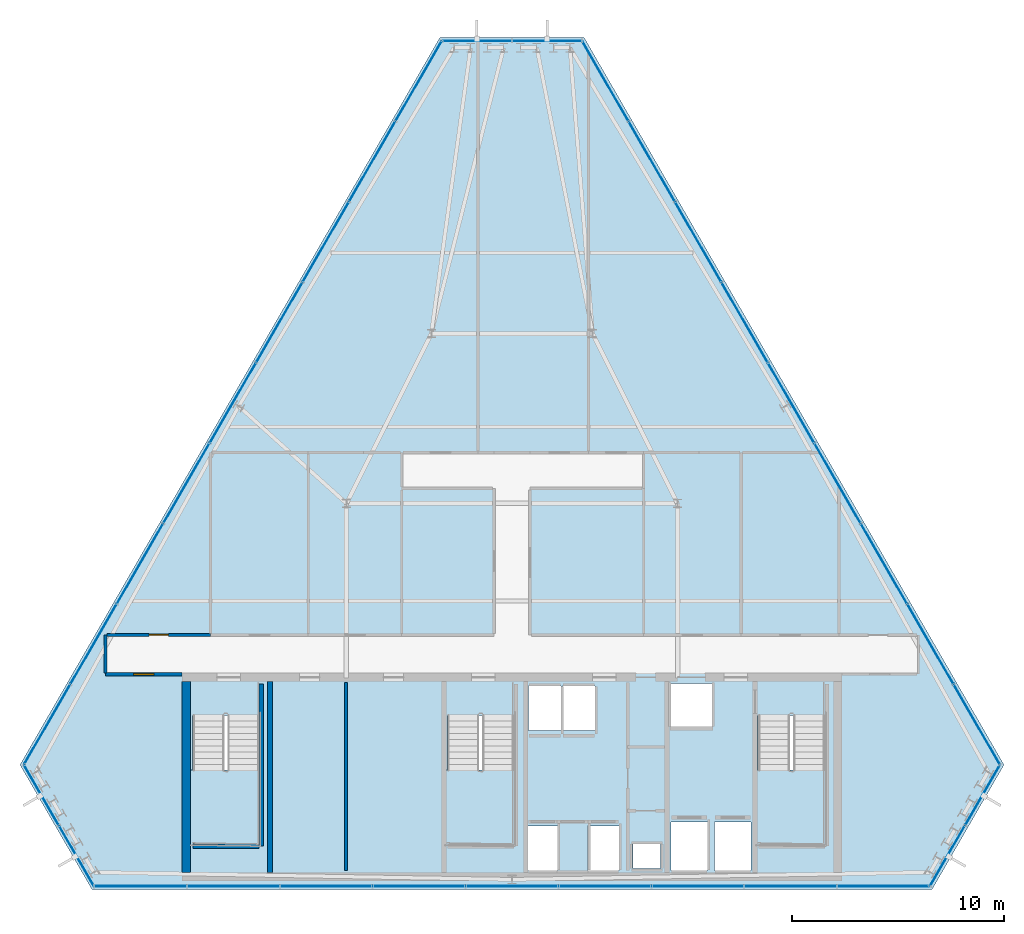
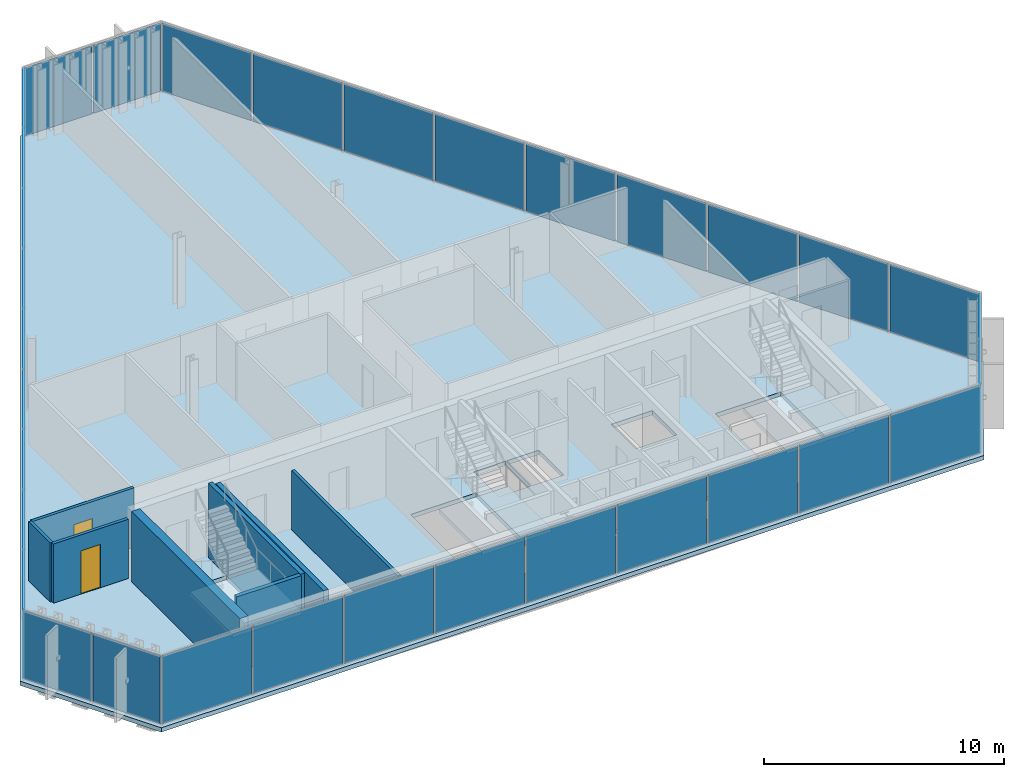
# One storey, part 23 of 29: 33 plates, 8 walls, 4 slabs, 2 doors, 2 openings, 9 elements without a shape of their own.
"""IFC4 building model written with IfcOpenShell, lengths in metres."""

from ifc_helpers import new_model, si_unit, direction, frame, frame_2d, origin, origin_2d, place, context, subcontext, project, spatial, polyline, rectangle, outline, extrude, material, layer, layer_set, type_object, element, fill, aggregate, save


model = new_model("IFC4")

# Units and contexts
model_context = context("Model", 3, precision=1e-05, world=origin(), true_north=direction((0.0, 1.0)))
body_context = subcontext(model_context, "Body", "Model", "MODEL_VIEW")
ifc_project = project(units=[si_unit("LENGTHUNIT", "METRE"), si_unit("AREAUNIT", "SQUARE_METRE"), si_unit("VOLUMEUNIT", "CUBIC_METRE"), si_unit("PLANEANGLEUNIT", "RADIAN"), si_unit("MASSUNIT", "GRAM", prefix="KILO")], contexts=[model_context])

# Site, building, storey
site_placement = place(None, origin())
site = spatial("IfcSite", under=ifc_project, at=site_placement, CompositionType="ELEMENT")
building_placement = place(site_placement, origin())
building = spatial("IfcBuilding", under=site, at=building_placement, Name="Ndaravel Arena Tower", CompositionType="ELEMENT")
storey_placement = place(building_placement, frame((0.0, 0.0, 244.60009765625)))
storey = spatial("IfcBuildingStorey", under=building, at=storey_placement, Name="L59", CompositionType="ELEMENT", Elevation=244.60009765625)

# Curtain wall, plate
ifc_material_1 = material(Name="Aluminium", Category="aluminium")
ifc_layer_1 = layer(ifc_material_1, 0.179931640625)
ifc_layer_set_1 = layer_set([ifc_layer_1], Name="Aluminium")
curtain_wall_type_1 = type_object("IfcCurtainWallType", Name="CW-SYS-01", PredefinedType="NOTDEFINED", material=ifc_layer_set_1)
curtain_wall_1_placement = place(storey_placement, origin())
curtain_wall_1 = element("IfcCurtainWall", 1, at=curtain_wall_1_placement, inside=storey, type_object=curtain_wall_type_1, Name="L59 Faceted Crystal Curtain Wall CW-L59-E02", PredefinedType="NOTDEFINED")
ifc_material_2 = material(Name="Glazing", Category="glass")
ifc_layer_2 = layer(ifc_material_2, 0.035888671875)
ifc_layer_set_2 = layer_set([ifc_layer_2], Name="Glazing")
plate_type_1 = type_object("IfcPlateType", Name="PLT-CW-OPVENT", PredefinedType="CURTAIN_PANEL", material=ifc_layer_set_2)
plate_1_placement = place(storey_placement, frame((64.169677734375, 9.451416015625, 0.059814453125), z_axis=(0.0, 0.0, 1.0), x_axis=(0.5, 0.866025403784, 0.0)))
plate_1 = element("IfcPlate", 2, at=plate_1_placement, type_object=plate_type_1, Name="CW-L59-E02 Operable Vent Sash Panel 02", PredefinedType="CURTAIN_PANEL", context=body_context, shape_type="SweptSolid", body=[
    extrude(rectangle(XDim=3.2236328125, YDim=0.035888671875, at=origin_2d()), origin(), (0.0, 0.0, 1.0), 3.4599609375),
])

curtain_wall_2_placement = place(storey_placement, origin())
curtain_wall_2 = element("IfcCurtainWall", 3, at=curtain_wall_2_placement, inside=storey, type_object=curtain_wall_type_1, Name="L59 Faceted Crystal Curtain Wall CW-L59-E04", PredefinedType="NOTDEFINED")
plate_2_placement = place(storey_placement, frame((40.34814453125, 44.989501953125, 0.059814453125), z_axis=(0.0, 0.0, 1.0), x_axis=(-1.0, 0.0, 0.0)))
plate_2 = element("IfcPlate", 4, at=plate_2_placement, type_object=plate_type_1, Name="CW-L59-E04 Operable Vent Sash Panel 02", PredefinedType="CURTAIN_PANEL", context=body_context, shape_type="SweptSolid", body=[
    extrude(rectangle(XDim=3.2236328125, YDim=0.035888671875, at=origin_2d()), origin(), (0.0, 0.0, 1.0), 3.4599609375),
])

ifc_material_3 = material(Name="Aluminium", Category="aluminium")
ifc_layer_3 = layer(ifc_material_3, 0.179931640625)
ifc_layer_set_3 = layer_set([ifc_layer_3], Name="Aluminium")
curtain_wall_type_2 = type_object("IfcCurtainWallType", Name="CW-SYS-02", PredefinedType="NOTDEFINED", material=ifc_layer_set_3)
curtain_wall_3_placement = place(storey_placement, origin())
curtain_wall_3 = element("IfcCurtainWall", 5, at=curtain_wall_3_placement, inside=storey, type_object=curtain_wall_type_2, Name="L59 Faceted Crystal Curtain Wall CW-L59-E06", PredefinedType="NOTDEFINED")
plate_3_placement = place(storey_placement, frame((21.482177734375, 6.590576171875, 0.059814453125), z_axis=(0.0, 0.0, 1.0), x_axis=(0.5, -0.866025403784, 0.0)))
plate_3 = element("IfcPlate", 6, at=plate_3_placement, type_object=plate_type_1, Name="CW-L59-E06 Operable Vent Sash Panel 02", PredefinedType="CURTAIN_PANEL", context=body_context, shape_type="SweptSolid", body=[
    extrude(rectangle(XDim=3.2236328125, YDim=0.035888671875, at=origin_2d()), origin(), (0.0, 0.0, 1.0), 3.4599609375),
])

# Plate
ifc_material_4 = material(Name="Glazing", Category="glass")
ifc_layer_4 = layer(ifc_material_4, 0.031982421875)
ifc_layer_set_4 = layer_set([ifc_layer_4], Name="Glazing")
plate_type_2 = type_object("IfcPlateType", Name="PLT-GLZ-FRIT35", PredefinedType="CURTAIN_PANEL", material=ifc_layer_set_4)
plate_4_placement = place(storey_placement, frame((62.517822265625, 6.590576171875, 0.059814453125), z_axis=(0.0, 0.0, 1.0), x_axis=(0.5, 0.866025403784, 0.0)))
plate_4 = element("IfcPlate", 7, at=plate_4_placement, type_object=plate_type_2, Name="CW-L59-E02 Vision Glass Panel 01", PredefinedType="CURTAIN_PANEL", context=body_context, shape_type="SweptSolid", body=[
    extrude(rectangle(XDim=3.2236328125, YDim=0.035888671875, at=origin_2d()), origin(), (0.0, 0.0, 1.0), 3.4599609375),
])

aggregate(curtain_wall_1, [plate_4, plate_1])

plate_5_placement = place(storey_placement, frame((43.65185546875, 44.989501953125, 0.059814453125), z_axis=(0.0, 0.0, 1.0), x_axis=(-1.0, 0.0, 0.0)))
plate_5 = element("IfcPlate", 8, at=plate_5_placement, type_object=plate_type_2, Name="CW-L59-E04 Vision Glass Panel 01", PredefinedType="CURTAIN_PANEL", context=body_context, shape_type="SweptSolid", body=[
    extrude(rectangle(XDim=3.2236328125, YDim=0.035888671875, at=origin_2d()), origin(), (0.0, 0.0, 1.0), 3.4599609375),
])

aggregate(curtain_wall_2, [plate_5, plate_2])

ifc_material_5 = material(Name="Glazing", Category="glass")
ifc_layer_5 = layer(ifc_material_5, 0.035888671875)
ifc_layer_set_5 = layer_set([ifc_layer_5], Name="Glazing")
plate_type_3 = type_object("IfcPlateType", Name="PLT-GLZ-FRIT55", PredefinedType="CURTAIN_PANEL", material=ifc_layer_set_5)
plate_6_placement = place(storey_placement, frame((19.830322265625, 9.451416015625, 0.059814453125), z_axis=(0.0, 0.0, 1.0), x_axis=(0.5, -0.866025403784, 0.0)))
plate_6 = element("IfcPlate", 9, at=plate_6_placement, type_object=plate_type_3, Name="CW-L59-E06 Vision Glass Panel 01", PredefinedType="CURTAIN_PANEL", context=body_context, shape_type="SweptSolid", body=[
    extrude(rectangle(XDim=3.2236328125, YDim=0.035888671875, at=origin_2d()), origin(), (0.0, 0.0, 1.0), 3.4599609375),
])

aggregate(curtain_wall_3, [plate_6, plate_3])

# Curtain wall, plates
ifc_material_6 = material(Name="Aluminium", Category="aluminium")
ifc_layer_6 = layer(ifc_material_6, 0.179931640625)
ifc_layer_set_6 = layer_set([ifc_layer_6], Name="Aluminium")
curtain_wall_type_3 = type_object("IfcCurtainWallType", Name="CW-SYS-03", PredefinedType="NOTDEFINED", material=ifc_layer_set_6)
curtain_wall_4_placement = place(storey_placement, origin())
curtain_wall_4 = element("IfcCurtainWall", 10, at=curtain_wall_4_placement, inside=storey, type_object=curtain_wall_type_3, Name="L59 Faceted Crystal Curtain Wall CW-L59-E01", PredefinedType="NOTDEFINED")
ifc_material_7 = material(Name="Glazing", Category="glass")
ifc_layer_7 = layer(ifc_material_7, 0.0400390625)
ifc_layer_set_7 = layer_set([ifc_layer_7], Name="Glazing")
plate_type_4 = type_object("IfcPlateType", Name="PLT-GLZ-LOWIRON", PredefinedType="CURTAIN_PANEL", material=ifc_layer_set_7)
plate_7_placement = place(storey_placement, frame((24.49609375, 5.159912109375, 0.059814453125), z_axis=(0.0, 0.0, 1.0), x_axis=(1.0, 0.0, 0.0)))
plate_7 = element("IfcPlate", 11, at=plate_7_placement, type_object=plate_type_4, Name="CW-L59-E01 Vision Glass Panel 01", PredefinedType="CURTAIN_PANEL", context=body_context, shape_type="SweptSolid", body=[
    extrude(rectangle(XDim=4.2958984375, YDim=0.035888671875, at=origin_2d()), origin(), (0.0, 0.0, 1.0), 3.4599609375),
])
plate_8_placement = place(storey_placement, frame((28.8720703125, 5.159912109375, 0.059814453125), z_axis=(0.0, 0.0, 1.0), x_axis=(1.0, 0.0, 0.0)))
plate_8 = element("IfcPlate", 12, at=plate_8_placement, type_object=plate_type_4, Name="CW-L59-E01 Vision Glass Panel 02", PredefinedType="CURTAIN_PANEL", context=body_context, shape_type="SweptSolid", body=[
    extrude(rectangle(XDim=4.2958984375, YDim=0.035888671875, at=origin_2d()), origin(), (0.0, 0.0, 1.0), 3.4599609375),
])
plate_9_placement = place(storey_placement, frame((33.248046875, 5.159912109375, 0.059814453125), z_axis=(0.0, 0.0, 1.0), x_axis=(1.0, 0.0, 0.0)))
plate_9 = element("IfcPlate", 13, at=plate_9_placement, type_object=plate_type_4, Name="CW-L59-E01 Vision Glass Panel 03", PredefinedType="CURTAIN_PANEL", context=body_context, shape_type="SweptSolid", body=[
    extrude(rectangle(XDim=4.2958984375, YDim=0.035888671875, at=origin_2d()), origin(), (0.0, 0.0, 1.0), 3.4599609375),
])
plate_10_placement = place(storey_placement, frame((37.6240234375, 5.159912109375, 0.059814453125), z_axis=(0.0, 0.0, 1.0), x_axis=(1.0, 0.0, 0.0)))
plate_10 = element("IfcPlate", 14, at=plate_10_placement, type_object=plate_type_4, Name="CW-L59-E01 Vision Glass Panel 04", PredefinedType="CURTAIN_PANEL", context=body_context, shape_type="SweptSolid", body=[
    extrude(rectangle(XDim=4.2958984375, YDim=0.035888671875, at=origin_2d()), origin(), (0.0, 0.0, 1.0), 3.4599609375),
])
plate_11_placement = place(storey_placement, frame((42.0, 5.159912109375, 0.059814453125), z_axis=(0.0, 0.0, 1.0), x_axis=(1.0, 0.0, 0.0)))
plate_11 = element("IfcPlate", 15, at=plate_11_placement, type_object=plate_type_4, Name="CW-L59-E01 Vision Glass Panel 05", PredefinedType="CURTAIN_PANEL", context=body_context, shape_type="SweptSolid", body=[
    extrude(rectangle(XDim=4.2958984375, YDim=0.035888671875, at=origin_2d()), origin(), (0.0, 0.0, 1.0), 3.4599609375),
])
plate_12_placement = place(storey_placement, frame((46.3759765625, 5.159912109375, 0.059814453125), z_axis=(0.0, 0.0, 1.0), x_axis=(1.0, 0.0, 0.0)))
plate_12 = element("IfcPlate", 16, at=plate_12_placement, type_object=plate_type_4, Name="CW-L59-E01 Vision Glass Panel 06", PredefinedType="CURTAIN_PANEL", context=body_context, shape_type="SweptSolid", body=[
    extrude(rectangle(XDim=4.2958984375, YDim=0.035888671875, at=origin_2d()), origin(), (0.0, 0.0, 1.0), 3.4599609375),
])
plate_13_placement = place(storey_placement, frame((50.751953125, 5.159912109375, 0.059814453125), z_axis=(0.0, 0.0, 1.0), x_axis=(1.0, 0.0, 0.0)))
plate_13 = element("IfcPlate", 17, at=plate_13_placement, type_object=plate_type_4, Name="CW-L59-E01 Vision Glass Panel 07", PredefinedType="CURTAIN_PANEL", context=body_context, shape_type="SweptSolid", body=[
    extrude(rectangle(XDim=4.2958984375, YDim=0.035888671875, at=origin_2d()), origin(), (0.0, 0.0, 1.0), 3.4599609375),
])
plate_14_placement = place(storey_placement, frame((55.1279296875, 5.159912109375, 0.059814453125), z_axis=(0.0, 0.0, 1.0), x_axis=(1.0, 0.0, 0.0)))
plate_14 = element("IfcPlate", 18, at=plate_14_placement, type_object=plate_type_4, Name="CW-L59-E01 Vision Glass Panel 08", PredefinedType="CURTAIN_PANEL", context=body_context, shape_type="SweptSolid", body=[
    extrude(rectangle(XDim=4.2958984375, YDim=0.035888671875, at=origin_2d()), origin(), (0.0, 0.0, 1.0), 3.4599609375),
])
plate_15_placement = place(storey_placement, frame((59.50390625, 5.159912109375, 0.059814453125), z_axis=(0.0, 0.0, 1.0), x_axis=(1.0, 0.0, 0.0)))
plate_15 = element("IfcPlate", 19, at=plate_15_placement, type_object=plate_type_4, Name="CW-L59-E01 Vision Glass Panel 09", PredefinedType="CURTAIN_PANEL", context=body_context, shape_type="SweptSolid", body=[
    extrude(rectangle(XDim=4.2958984375, YDim=0.035888671875, at=origin_2d()), origin(), (0.0, 0.0, 1.0), 3.4599609375),
])
aggregate(curtain_wall_4, [plate_7, plate_8, plate_9, plate_10, plate_11, plate_12, plate_13, plate_14, plate_15])

curtain_wall_5_placement = place(storey_placement, origin())
curtain_wall_5 = element("IfcCurtainWall", 20, at=curtain_wall_5_placement, inside=storey, type_object=curtain_wall_type_3, Name="L59 Faceted Crystal Curtain Wall CW-L59-E03", PredefinedType="NOTDEFINED")
plate_16_placement = place(storey_placement, frame((63.901611328125, 12.77685546875, 0.059814453125), z_axis=(0.0, 0.0, 1.0), x_axis=(-0.5, 0.866025403784, 0.0)))
plate_16 = element("IfcPlate", 21, at=plate_16_placement, type_object=plate_type_4, Name="CW-L59-E03 Vision Glass Panel 01", PredefinedType="CURTAIN_PANEL", context=body_context, shape_type="SweptSolid", body=[
    extrude(rectangle(XDim=4.2958984375, YDim=0.035888671875, at=origin_2d()), origin(), (0.0, 0.0, 1.0), 3.4599609375),
])
plate_17_placement = place(storey_placement, frame((61.713623046875, 16.566650390625, 0.059814453125), z_axis=(0.0, 0.0, 1.0), x_axis=(-0.5, 0.866025403784, 0.0)))
plate_17 = element("IfcPlate", 22, at=plate_17_placement, type_object=plate_type_4, Name="CW-L59-E03 Vision Glass Panel 02", PredefinedType="CURTAIN_PANEL", context=body_context, shape_type="SweptSolid", body=[
    extrude(rectangle(XDim=4.2958984375, YDim=0.035888671875, at=origin_2d()), origin(), (0.0, 0.0, 1.0), 3.4599609375),
])
plate_18_placement = place(storey_placement, frame((59.525634765625, 20.356201171875, 0.059814453125), z_axis=(0.0, 0.0, 1.0), x_axis=(-0.5, 0.866025403784, 0.0)))
plate_18 = element("IfcPlate", 23, at=plate_18_placement, type_object=plate_type_4, Name="CW-L59-E03 Vision Glass Panel 03", PredefinedType="CURTAIN_PANEL", context=body_context, shape_type="SweptSolid", body=[
    extrude(rectangle(XDim=4.2958984375, YDim=0.035888671875, at=origin_2d()), origin(), (0.0, 0.0, 1.0), 3.4599609375),
])
plate_19_placement = place(storey_placement, frame((57.337646484375, 24.14599609375, 0.059814453125), z_axis=(0.0, 0.0, 1.0), x_axis=(-0.5, 0.866025403784, 0.0)))
plate_19 = element("IfcPlate", 24, at=plate_19_placement, type_object=plate_type_4, Name="CW-L59-E03 Vision Glass Panel 04", PredefinedType="CURTAIN_PANEL", context=body_context, shape_type="SweptSolid", body=[
    extrude(rectangle(XDim=4.2958984375, YDim=0.035888671875, at=origin_2d()), origin(), (0.0, 0.0, 1.0), 3.4599609375),
])
plate_20_placement = place(storey_placement, frame((55.149658203125, 27.935791015625, 0.059814453125), z_axis=(0.0, 0.0, 1.0), x_axis=(-0.5, 0.866025403784, 0.0)))
plate_20 = element("IfcPlate", 25, at=plate_20_placement, type_object=plate_type_4, Name="CW-L59-E03 Vision Glass Panel 05", PredefinedType="CURTAIN_PANEL", context=body_context, shape_type="SweptSolid", body=[
    extrude(rectangle(XDim=4.2958984375, YDim=0.035888671875, at=origin_2d()), origin(), (0.0, 0.0, 1.0), 3.4599609375),
])
plate_21_placement = place(storey_placement, frame((52.961669921875, 31.7255859375, 0.059814453125), z_axis=(0.0, 0.0, 1.0), x_axis=(-0.5, 0.866025403784, 0.0)))
plate_21 = element("IfcPlate", 26, at=plate_21_placement, type_object=plate_type_4, Name="CW-L59-E03 Vision Glass Panel 06", PredefinedType="CURTAIN_PANEL", context=body_context, shape_type="SweptSolid", body=[
    extrude(rectangle(XDim=4.2958984375, YDim=0.035888671875, at=origin_2d()), origin(), (0.0, 0.0, 1.0), 3.4599609375),
])
plate_22_placement = place(storey_placement, frame((50.773681640625, 35.515380859375, 0.059814453125), z_axis=(0.0, 0.0, 1.0), x_axis=(-0.5, 0.866025403784, 0.0)))
plate_22 = element("IfcPlate", 27, at=plate_22_placement, type_object=plate_type_4, Name="CW-L59-E03 Vision Glass Panel 07", PredefinedType="CURTAIN_PANEL", context=body_context, shape_type="SweptSolid", body=[
    extrude(rectangle(XDim=4.2958984375, YDim=0.035888671875, at=origin_2d()), origin(), (0.0, 0.0, 1.0), 3.4599609375),
])
plate_23_placement = place(storey_placement, frame((48.585693359375, 39.304931640625, 0.059814453125), z_axis=(0.0, 0.0, 1.0), x_axis=(-0.5, 0.866025403784, 0.0)))
plate_23 = element("IfcPlate", 28, at=plate_23_placement, type_object=plate_type_4, Name="CW-L59-E03 Vision Glass Panel 08", PredefinedType="CURTAIN_PANEL", context=body_context, shape_type="SweptSolid", body=[
    extrude(rectangle(XDim=4.2958984375, YDim=0.035888671875, at=origin_2d()), origin(), (0.0, 0.0, 1.0), 3.4599609375),
])
plate_24_placement = place(storey_placement, frame((46.397705078125, 43.0947265625, 0.059814453125), z_axis=(0.0, 0.0, 1.0), x_axis=(-0.5, 0.866025403784, 0.0)))
plate_24 = element("IfcPlate", 29, at=plate_24_placement, type_object=plate_type_4, Name="CW-L59-E03 Vision Glass Panel 09", PredefinedType="CURTAIN_PANEL", context=body_context, shape_type="SweptSolid", body=[
    extrude(rectangle(XDim=4.2958984375, YDim=0.035888671875, at=origin_2d()), origin(), (0.0, 0.0, 1.0), 3.4599609375),
])
aggregate(curtain_wall_5, [plate_16, plate_17, plate_18, plate_19, plate_20, plate_21, plate_22, plate_23, plate_24])

curtain_wall_6_placement = place(storey_placement, origin())
curtain_wall_6 = element("IfcCurtainWall", 30, at=curtain_wall_6_placement, inside=storey, type_object=curtain_wall_type_3, Name="L59 Faceted Crystal Curtain Wall CW-L59-E05", PredefinedType="NOTDEFINED")
plate_25_placement = place(storey_placement, frame((37.602294921875, 43.0947265625, 0.059814453125), z_axis=(0.0, 0.0, 1.0), x_axis=(-0.5, -0.866025403784, 0.0)))
plate_25 = element("IfcPlate", 31, at=plate_25_placement, type_object=plate_type_4, Name="CW-L59-E05 Vision Glass Panel 01", PredefinedType="CURTAIN_PANEL", context=body_context, shape_type="SweptSolid", body=[
    extrude(rectangle(XDim=4.2958984375, YDim=0.035888671875, at=origin_2d()), origin(), (0.0, 0.0, 1.0), 3.4599609375),
])
plate_26_placement = place(storey_placement, frame((35.414306640625, 39.304931640625, 0.059814453125), z_axis=(0.0, 0.0, 1.0), x_axis=(-0.5, -0.866025403784, 0.0)))
plate_26 = element("IfcPlate", 32, at=plate_26_placement, type_object=plate_type_4, Name="CW-L59-E05 Vision Glass Panel 02", PredefinedType="CURTAIN_PANEL", context=body_context, shape_type="SweptSolid", body=[
    extrude(rectangle(XDim=4.2958984375, YDim=0.035888671875, at=origin_2d()), origin(), (0.0, 0.0, 1.0), 3.4599609375),
])
plate_27_placement = place(storey_placement, frame((33.226318359375, 35.515380859375, 0.059814453125), z_axis=(0.0, 0.0, 1.0), x_axis=(-0.5, -0.866025403784, 0.0)))
plate_27 = element("IfcPlate", 33, at=plate_27_placement, type_object=plate_type_4, Name="CW-L59-E05 Vision Glass Panel 03", PredefinedType="CURTAIN_PANEL", context=body_context, shape_type="SweptSolid", body=[
    extrude(rectangle(XDim=4.2958984375, YDim=0.035888671875, at=origin_2d()), origin(), (0.0, 0.0, 1.0), 3.4599609375),
])
plate_28_placement = place(storey_placement, frame((31.038330078125, 31.7255859375, 0.059814453125), z_axis=(0.0, 0.0, 1.0), x_axis=(-0.5, -0.866025403784, 0.0)))
plate_28 = element("IfcPlate", 34, at=plate_28_placement, type_object=plate_type_4, Name="CW-L59-E05 Vision Glass Panel 04", PredefinedType="CURTAIN_PANEL", context=body_context, shape_type="SweptSolid", body=[
    extrude(rectangle(XDim=4.2958984375, YDim=0.035888671875, at=origin_2d()), origin(), (0.0, 0.0, 1.0), 3.4599609375),
])
plate_29_placement = place(storey_placement, frame((28.850341796875, 27.935791015625, 0.059814453125), z_axis=(0.0, 0.0, 1.0), x_axis=(-0.5, -0.866025403784, 0.0)))
plate_29 = element("IfcPlate", 35, at=plate_29_placement, type_object=plate_type_4, Name="CW-L59-E05 Vision Glass Panel 05", PredefinedType="CURTAIN_PANEL", context=body_context, shape_type="SweptSolid", body=[
    extrude(rectangle(XDim=4.2958984375, YDim=0.035888671875, at=origin_2d()), origin(), (0.0, 0.0, 1.0), 3.4599609375),
])
plate_30_placement = place(storey_placement, frame((26.662353515625, 24.14599609375, 0.059814453125), z_axis=(0.0, 0.0, 1.0), x_axis=(-0.5, -0.866025403784, 0.0)))
plate_30 = element("IfcPlate", 36, at=plate_30_placement, type_object=plate_type_4, Name="CW-L59-E05 Vision Glass Panel 06", PredefinedType="CURTAIN_PANEL", context=body_context, shape_type="SweptSolid", body=[
    extrude(rectangle(XDim=4.2958984375, YDim=0.035888671875, at=origin_2d()), origin(), (0.0, 0.0, 1.0), 3.4599609375),
])
plate_31_placement = place(storey_placement, frame((24.474365234375, 20.356201171875, 0.059814453125), z_axis=(0.0, 0.0, 1.0), x_axis=(-0.5, -0.866025403784, 0.0)))
plate_31 = element("IfcPlate", 37, at=plate_31_placement, type_object=plate_type_4, Name="CW-L59-E05 Vision Glass Panel 07", PredefinedType="CURTAIN_PANEL", context=body_context, shape_type="SweptSolid", body=[
    extrude(rectangle(XDim=4.2958984375, YDim=0.035888671875, at=origin_2d()), origin(), (0.0, 0.0, 1.0), 3.4599609375),
])
plate_32_placement = place(storey_placement, frame((22.286376953125, 16.566650390625, 0.059814453125), z_axis=(0.0, 0.0, 1.0), x_axis=(-0.5, -0.866025403784, 0.0)))
plate_32 = element("IfcPlate", 38, at=plate_32_placement, type_object=plate_type_4, Name="CW-L59-E05 Vision Glass Panel 08", PredefinedType="CURTAIN_PANEL", context=body_context, shape_type="SweptSolid", body=[
    extrude(rectangle(XDim=4.2958984375, YDim=0.035888671875, at=origin_2d()), origin(), (0.0, 0.0, 1.0), 3.4599609375),
])
plate_33_placement = place(storey_placement, frame((20.098388671875, 12.77685546875, 0.059814453125), z_axis=(0.0, 0.0, 1.0), x_axis=(-0.5, -0.866025403784, 0.0)))
plate_33 = element("IfcPlate", 39, at=plate_33_placement, type_object=plate_type_4, Name="CW-L59-E05 Vision Glass Panel 09", PredefinedType="CURTAIN_PANEL", context=body_context, shape_type="SweptSolid", body=[
    extrude(rectangle(XDim=4.2958984375, YDim=0.035888671875, at=origin_2d()), origin(), (0.0, 0.0, 1.0), 3.4599609375),
])
aggregate(curtain_wall_6, [plate_25, plate_26, plate_27, plate_28, plate_29, plate_30, plate_31, plate_32, plate_33])

# Stair, slab
ifc_material_8 = material(Name="Concrete C40/50", Category="concrete")
stair_type = type_object("IfcStairType", Name="STAIR-CORE-HT", PredefinedType="HALF_TURN_STAIR", material=ifc_material_8)
stair_1_placement = place(storey_placement, origin())
stair_1 = element("IfcStair", 40, at=stair_1_placement, inside=storey, type_object=stair_type, Name="L59 ST-1", PredefinedType="HALF_TURN_STAIR")
ifc_material_9 = material(Name="Concrete C40/50", Category="concrete")
ifc_layer_8 = layer(ifc_material_9, 0.199951171875)
ifc_layer_set_8 = layer_set([ifc_layer_8], Name="Concrete C40/50")
slab_type_1 = type_object("IfcSlabType", Name="SLAB-STAIR-LANDING", PredefinedType="LANDING", material=ifc_layer_set_8)
slab_1_placement = place(storey_placement, frame((0.0, 0.0, 1.699951171875)))
slab_1 = element("IfcSlab", 41, at=slab_1_placement, type_object=slab_type_1, Name="ST-1 landing 1", PredefinedType="LANDING", context=body_context, shape_type="SweptSolid", body=[
    extrude(outline(polyline([(26.81005859375, 10.6298828125), (26.81005859375, 7.070068359375), (30.169921875, 7.070068359375), (30.169921875, 10.6298828125), (26.81005859375, 10.6298828125)])), origin(), (0.0, 0.0, 1.0), 0.199951171875),
])
aggregate(stair_1, [slab_1])

stair_2_placement = place(storey_placement, origin())
stair_2 = element("IfcStair", 42, at=stair_2_placement, inside=storey, type_object=stair_type, Name="L59 ST-2", PredefinedType="HALF_TURN_STAIR")
slab_2_placement = place(storey_placement, frame((0.0, 0.0, 1.699951171875)))
slab_2 = element("IfcSlab", 43, at=slab_2_placement, type_object=slab_type_1, Name="ST-2 landing 1", PredefinedType="LANDING", context=body_context, shape_type="SweptSolid", body=[
    extrude(outline(polyline([(38.81005859375, 10.6298828125), (38.81005859375, 7.070068359375), (42.169921875, 7.070068359375), (42.169921875, 10.6298828125), (38.81005859375, 10.6298828125)])), origin(), (0.0, 0.0, 1.0), 0.199951171875),
])
aggregate(stair_2, [slab_2])

stair_3_placement = place(storey_placement, origin())
stair_3 = element("IfcStair", 44, at=stair_3_placement, inside=storey, type_object=stair_type, Name="L59 ST-3", PredefinedType="HALF_TURN_STAIR")
slab_3_placement = place(storey_placement, frame((0.0, 0.0, 1.699951171875)))
slab_3 = element("IfcSlab", 45, at=slab_3_placement, type_object=slab_type_1, Name="ST-3 landing 1", PredefinedType="LANDING", context=body_context, shape_type="SweptSolid", body=[
    extrude(outline(polyline([(53.4599609375, 10.6298828125), (53.4599609375, 7.070068359375), (56.820068359375, 7.070068359375), (56.820068359375, 10.6298828125), (53.4599609375, 10.6298828125)])), origin(), (0.0, 0.0, 1.0), 0.199951171875),
])
aggregate(stair_3, [slab_3])

# Slab
ifc_material_10 = material(Name="Concrete C40/50", Category="concrete")
ifc_layer_9 = layer(ifc_material_10, 0.219970703125)
ifc_layer_set_9 = layer_set([ifc_layer_9], Name="Concrete C40/50")
slab_type_2 = type_object("IfcSlabType", Name="SLAB-TWR-220", PredefinedType="FLOOR", material=ifc_layer_set_9)
slab_4_placement = place(storey_placement, frame((0.0, 0.0, -0.22021484375)))
element("IfcSlab", 46, at=slab_4_placement, inside=storey, type_object=slab_type_2, Name="L59 Structural Floor Slab", PredefinedType="FLOOR", context=body_context, shape_type="SweptSolid", body=[
    extrude(outline(polyline([(18.819580078125, 10.882080078125), (22.215576171875, 5.0), (61.784423828125, 5.0), (65.180419921875, 10.882080078125), (45.39599609375, 45.149658203125), (38.60400390625, 45.149658203125), (18.819580078125, 10.882080078125)]), holes=[polyline([(26.949951171875, 13.215087890625), (26.949951171875, 7.14990234375), (30.090087890625, 7.14990234375), (30.090087890625, 13.215087890625), (26.949951171875, 13.215087890625)]), polyline([(38.949951171875, 13.215087890625), (38.949951171875, 7.14990234375), (42.090087890625, 7.14990234375), (42.090087890625, 13.215087890625), (38.949951171875, 13.215087890625)]), polyline([(53.60009765625, 13.215087890625), (53.60009765625, 7.14990234375), (56.739990234375, 7.14990234375), (56.739990234375, 13.215087890625), (53.60009765625, 13.215087890625)]), polyline([(42.659912109375, 5.909912109375), (44.139892578125, 5.909912109375), (44.139892578125, 7.989990234375), (42.659912109375, 7.989990234375), (42.659912109375, 5.909912109375)]), polyline([(45.56005859375, 5.909912109375), (47.0400390625, 5.909912109375), (47.0400390625, 7.989990234375), (45.56005859375, 7.989990234375), (45.56005859375, 5.909912109375)]), polyline([(42.784912109375, 12.510009765625), (44.31494140625, 12.510009765625), (44.31494140625, 14.590087890625), (42.784912109375, 14.590087890625), (42.784912109375, 12.510009765625)]), polyline([(44.385009765625, 12.510009765625), (45.9150390625, 12.510009765625), (45.9150390625, 14.590087890625), (44.385009765625, 14.590087890625), (44.385009765625, 12.510009765625)]), polyline([(49.485107421875, 5.909912109375), (51.215087890625, 5.909912109375), (51.215087890625, 8.18994140625), (49.485107421875, 8.18994140625), (49.485107421875, 5.909912109375)]), polyline([(51.534912109375, 5.909912109375), (53.264892578125, 5.909912109375), (53.264892578125, 8.18994140625), (51.534912109375, 8.18994140625), (51.534912109375, 5.909912109375)]), polyline([(49.4599609375, 12.68505859375), (51.43994140625, 12.68505859375), (51.43994140625, 14.715087890625), (49.4599609375, 14.715087890625), (49.4599609375, 12.68505859375)]), polyline([(47.699951171875, 6.0), (49.0, 6.0), (49.0, 7.139892578125), (47.699951171875, 7.139892578125), (47.699951171875, 6.0)])]), origin(), (0.0, 0.0, 1.0), 0.22021484375),
])

# Walls
ifc_material_11 = material(Name="Gypsum", Category="gypsum")
ifc_layer_10 = layer(ifc_material_11, 0.14990234375)
ifc_layer_set_10 = layer_set([ifc_layer_10], Name="Gypsum")
wall_type_1 = type_object("IfcWallType", Name="WALL-COMP-150", PredefinedType="PARTITIONING", material=ifc_layer_set_10)
wall_1_placement = place(storey_placement, frame((34.179931640625, 5.89990234375, 0.0), z_axis=(0.0, 0.0, 1.0), x_axis=(0.0, 1.0, 0.0)))
element("IfcWall", 47, at=wall_1_placement, inside=storey, type_object=wall_type_1, Name="L59 High-Zone Core Divider 1", PredefinedType="PARTITIONING", context=body_context, shape_type="SweptSolid", body=[
    extrude(rectangle(XDim=8.85009765625, YDim=0.14990234375, at=frame_2d((4.425048828125, 0.0))), origin(), (0.0, 0.0, 1.0), 3.010498046875),
])
ifc_material_12 = material(Name="Concrete C50/60", Category="concrete")
ifc_layer_11 = layer(ifc_material_12, 0.219970703125)
ifc_layer_set_11 = layer_set([ifc_layer_11], Name="Concrete C50/60")
wall_type_2 = type_object("IfcWallType", Name="WALL-CORE-220", PredefinedType="SOLIDWALL", material=ifc_layer_set_11)
wall_2_placement = place(storey_placement, frame((30.60009765625, 5.800048828125, 0.0), z_axis=(0.0, 0.0, 1.0), x_axis=(0.0, 1.0, 0.0)))
element("IfcWall", 48, at=wall_2_placement, inside=storey, type_object=wall_type_2, Name="L59 Core Web Shear Wall 1", PredefinedType="SOLIDWALL", context=body_context, shape_type="SweptSolid", body=[
    extrude(rectangle(XDim=9.0, YDim=0.219970703125, at=frame_2d((4.5, 0.0))), origin(), (0.0, 0.0, 1.0), 3.579833984375),
])
ifc_material_13 = material(Name="Concrete C50/60", Category="concrete")
ifc_layer_12 = layer(ifc_material_13, 0.39990234375)
ifc_layer_set_12 = layer_set([ifc_layer_12], Name="Concrete C50/60")
wall_type_3 = type_object("IfcWallType", Name="WALL-CORE-400", PredefinedType="SOLIDWALL", material=ifc_layer_set_12)
wall_3_placement = place(storey_placement, frame((26.64990234375, 5.800048828125, 0.0), z_axis=(0.0, 0.0, 1.0), x_axis=(0.0, 1.0, 0.0)))
element("IfcWall", 49, at=wall_3_placement, inside=storey, type_object=wall_type_3, Name="L59 Core West Shear Wall", PredefinedType="SOLIDWALL", context=body_context, shape_type="SweptSolid", body=[
    extrude(rectangle(XDim=9.0, YDim=0.39990234375, at=frame_2d((4.5, 0.0))), origin(), (0.0, 0.0, 1.0), 3.579833984375),
])
ifc_material_14 = material(Name="Concrete C40/50", Category="concrete")
ifc_layer_13 = layer(ifc_material_14, 0.199951171875)
ifc_layer_set_13 = layer_set([ifc_layer_13], Name="Concrete C40/50")
wall_type_4 = type_object("IfcWallType", Name="WALL-SHAFT-200", PredefinedType="SOLIDWALL", material=ifc_layer_set_13)
wall_4_placement = place(storey_placement, frame((30.18994140625, 14.699951171875, 0.0), z_axis=(0.0, 0.0, 1.0), x_axis=(0.0, -1.0, 0.0)))
element("IfcWall", 50, at=wall_4_placement, inside=storey, type_object=wall_type_4, Name="L59 ST-1 Structural Shaft Wall Right", PredefinedType="SOLIDWALL", context=body_context, shape_type="SweptSolid", body=[
    extrude(rectangle(XDim=7.64990234375, YDim=0.199951171875, at=frame_2d((3.824951171875, 0.0))), origin(), (0.0, 0.0, 1.0), 3.7998046875),
])
wall_5_placement = place(storey_placement, frame((26.969970703125, 7.050048828125, 0.0), z_axis=(0.0, 0.0, 1.0), x_axis=(1.0, 0.0, 0.0)))
element("IfcWall", 51, at=wall_5_placement, inside=storey, type_object=wall_type_4, Name="L59 ST-1 Structural Shaft Wall Far", PredefinedType="SOLIDWALL", context=body_context, shape_type="SweptSolid", body=[
    extrude(rectangle(XDim=3.114990234375, YDim=0.199951171875, at=frame_2d((1.5576171875, 0.0))), origin(), (0.0, 0.0, 1.0), 3.7998046875),
])

# Wall, opening, door
ifc_material_15 = material(Name="Masonry", Category="masonry")
ifc_layer_14 = layer(ifc_material_15, 0.14990234375)
ifc_layer_set_14 = layer_set([ifc_layer_14], Name="Masonry")
wall_type_5 = type_object("IfcWallType", Name="WALL-WET-150", PredefinedType="PARTITIONING", material=ifc_layer_set_14)
wall_6_placement = place(storey_placement, frame((26.449951171875, 15.14990234375, 0.0), z_axis=(0.0, 0.0, 1.0), x_axis=(-1.0, 0.0, 0.0)))
wall_6 = element("IfcWall", 52, at=wall_6_placement, inside=storey, type_object=wall_type_5, Name="L59 Interior Partition 003", PredefinedType="PARTITIONING", context=body_context, shape_type="SweptSolid", body=[
    extrude(rectangle(XDim=3.60400390625, YDim=0.14990234375, at=frame_2d((1.802001953125, 0.0))), origin(), (0.0, 0.0, 1.0), 3.010498046875),
])
opening_1_placement = place(wall_6_placement, frame((1.326904296875, 0.0, 0.0)))
opening_1 = element("IfcOpeningElement", 53, at=opening_1_placement, cuts=wall_6, Name="Opening FD-03", PredefinedType="OPENING", context=body_context, shape_type="SweptSolid", body=[
    extrude(rectangle(XDim=0.949951171875, YDim=2.199951171875, at=frame_2d((0.47509765625, 1.10009765625))), frame((0.0, 0.074951171875, 0.0), z_axis=(0.0, -1.0, 0.0), x_axis=(1.0, 0.0, 0.0)), (0.0, 0.0, 1.0), 0.14990234375),
])
ifc_material_16 = material(Name="Steel S355", Category="steel")
door_type_1 = type_object("IfcDoorType", Name="DT-11-CORE-950", OperationType="SINGLE_SWING_LEFT", PredefinedType="DOOR", material=ifc_material_16)
door_1_placement = place(opening_1_placement, origin())
door_1 = element("IfcDoor", 54, at=door_1_placement, inside=storey, type_object=door_type_1, Name="L59 Staff Espresso Kitchen Door", OperationType="SINGLE_SWING_RIGHT", OverallHeight=2.199951171875, OverallWidth=0.949951171875, PredefinedType="DOOR", context=body_context, shape_type="SweptSolid", body=[
    extrude(rectangle(XDim=0.949951171875, YDim=2.199951171875, at=frame_2d((0.47509765625, 1.10009765625))), frame((0.0, 0.02490234375, 0.0), z_axis=(0.0, -1.0, 0.0), x_axis=(1.0, 0.0, 0.0)), (0.0, 0.0, 1.0), 0.050048828125),
])
fill(opening_1, door_1)

# Wall
wall_7_placement = place(storey_placement, frame((22.845947265625, 15.215087890625, 0.0), z_axis=(0.0, 0.0, 1.0), x_axis=(0.0, 1.0, 0.0)))
element("IfcWall", 55, at=wall_7_placement, inside=storey, type_object=wall_type_5, Name="L59 Interior Partition 004", PredefinedType="PARTITIONING", context=body_context, shape_type="SweptSolid", body=[
    extrude(rectangle(XDim=1.784912109375, YDim=0.14990234375, at=frame_2d((0.892578125, 0.0))), origin(), (0.0, 0.0, 1.0), 3.010498046875),
])

# Wall, opening, door
wall_8_placement = place(storey_placement, frame((22.910888671875, 17.0, 0.0), z_axis=(0.0, 0.0, 1.0), x_axis=(1.0, 0.0, 0.0)))
wall_8 = element("IfcWall", 56, at=wall_8_placement, inside=storey, type_object=wall_type_5, Name="L59 Interior Partition 005", PredefinedType="PARTITIONING", context=body_context, shape_type="SweptSolid", body=[
    extrude(rectangle(XDim=4.88916015625, YDim=0.14990234375, at=frame_2d((2.444580078125, 0.0))), origin(), (0.0, 0.0, 1.0), 3.010498046875),
])
opening_2_placement = place(wall_8_placement, frame((1.994384765625, 0.0, 0.0)))
opening_2 = element("IfcOpeningElement", 57, at=opening_2_placement, cuts=wall_8, Name="Opening WD-01", PredefinedType="OPENING", context=body_context, shape_type="SweptSolid", body=[
    extrude(rectangle(XDim=0.89990234375, YDim=2.14990234375, at=frame_2d((0.449951171875, 1.074951171875))), frame((0.0, 0.074951171875, 0.0), z_axis=(0.0, -1.0, 0.0), x_axis=(1.0, 0.0, 0.0)), (0.0, 0.0, 1.0), 0.14990234375),
])
ifc_material_17 = material(Name="Timber", Category="wood")
door_type_2 = type_object("IfcDoorType", Name="DT-05-WC-900", OperationType="SINGLE_SWING_LEFT", PredefinedType="DOOR", material=ifc_material_17)
door_2_placement = place(opening_2_placement, origin())
door_2 = element("IfcDoor", 58, at=door_2_placement, inside=storey, type_object=door_type_2, Name="L59 Female & Accessible Restroom Door", OperationType="SINGLE_SWING_LEFT", OverallHeight=2.14990234375, OverallWidth=0.89990234375, PredefinedType="DOOR", context=body_context, shape_type="SweptSolid", body=[
    extrude(rectangle(XDim=0.89990234375, YDim=2.14990234375, at=frame_2d((0.449951171875, 1.074951171875))), frame((0.0, 0.02490234375, 0.0), z_axis=(0.0, -1.0, 0.0), x_axis=(1.0, 0.0, 0.0)), (0.0, 0.0, 1.0), 0.050048828125),
])
fill(opening_2, door_2)

save(model, "model.ifc")
